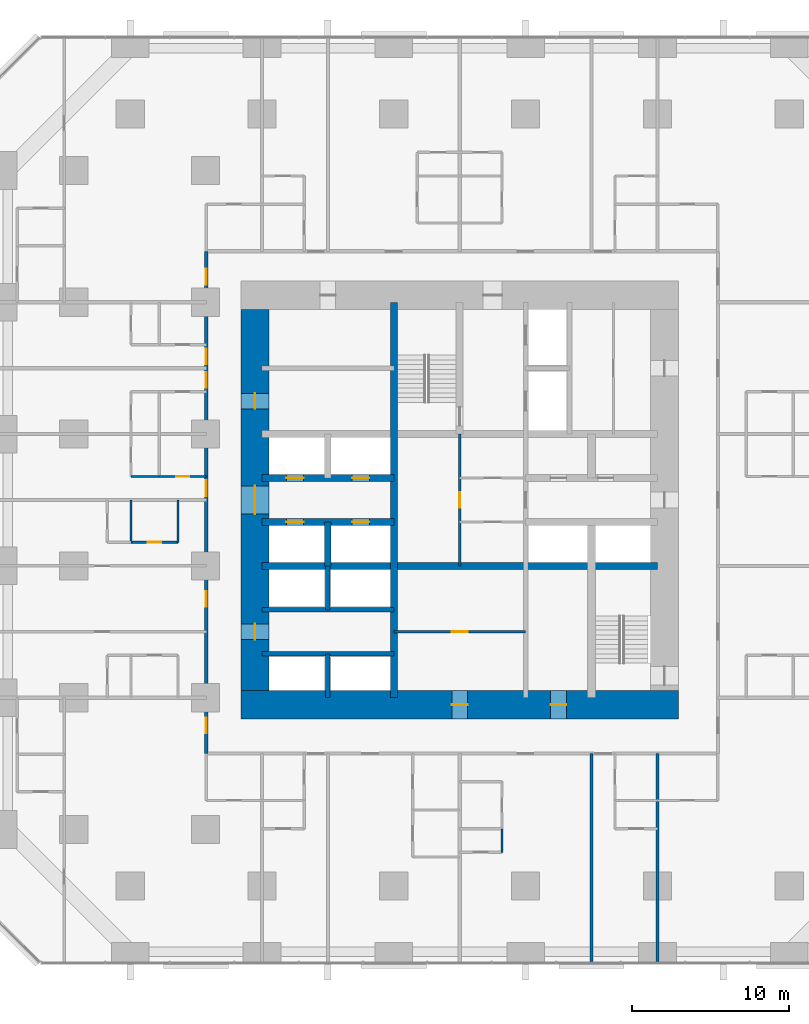
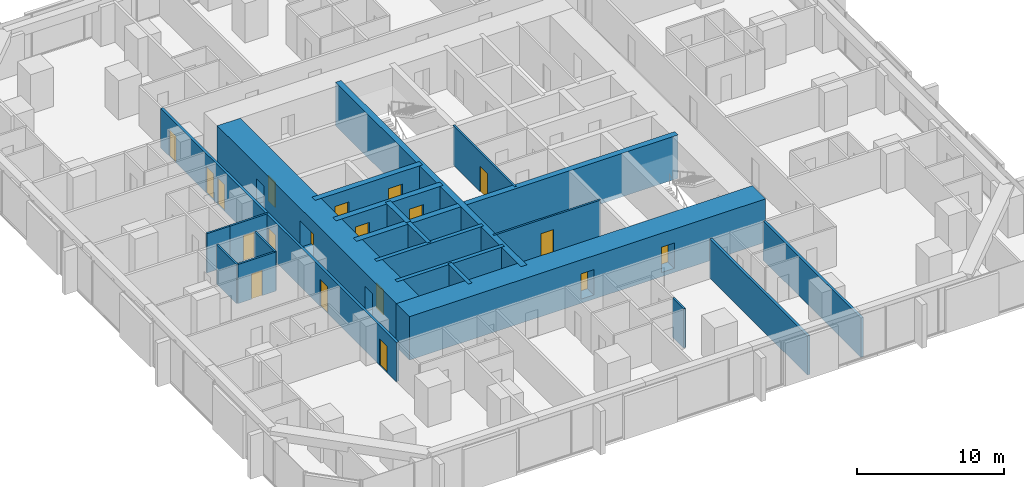
# One storey, part 12 of 17: 22 walls, 19 doors, 19 openings.
"""IFC4 building model written with IfcOpenShell, lengths in metres."""

import ifcopenshell
import ifcopenshell.guid

model = None  # the IFC model being written
_history = None  # IfcOwnerHistory: only IFC2X3 demands one
_inside = {}  # id of a spatial element -> (the spatial element, [elements in it])
_under = {}  # id of a project, library or spatial element -> (it, [spatial elements below it])
_declared = {}  # id of a project -> (the project, [libraries it declares])
_typed = {}  # id of a type object -> (the type object, [elements of that type])
_made_of = {}  # id of a material, layer set ... -> (it, [elements and type objects made of it])


def new_model(schema):
    """Start an empty IFC model of exactly this schema.

    Asked for "IFC4X3", IfcOpenShell would pick the latest addendum, in which some entities
    have other attributes; the version numbers below select the first issue.
    IFC2X3 requires an IfcOwnerHistory on every rooted entity: one is made here for all.
    """
    global model, _history
    if schema == "IFC4X3":
        model = ifcopenshell.file(schema_version=(4, 3, 0, 0))
    else:
        model = ifcopenshell.file(schema=schema)
    _inside.clear()
    _under.clear()
    _declared.clear()
    _typed.clear()
    _made_of.clear()
    _history = None
    if model.schema == "IFC2X3":
        org = make("IfcOrganization", Name="unknown")
        user = make(
            "IfcPersonAndOrganization",
            ThePerson=make("IfcPerson", FamilyName="unknown"),
            TheOrganization=org,
        )
        app = make(
            "IfcApplication",
            ApplicationDeveloper=org,
            Version="unknown",
            ApplicationFullName="unknown",
            ApplicationIdentifier="unknown",
        )
        _history = make(
            "IfcOwnerHistory",
            OwningUser=user,
            OwningApplication=app,
            ChangeAction="ADDED",
            CreationDate=0,
        )
    return model


def make(cls, **values):
    """One entity of the class cls with the attributes given. An attribute that is None is left unset."""
    return model.create_entity(
        cls, **{name: value for name, value in values.items() if value is not None}
    )


def rooted(cls, **values):
    """An entity with a GlobalId (a new one), such as an element, a storey or a relation."""
    return make(cls, GlobalId=ifcopenshell.guid.new(), OwnerHistory=_history, **values)


def si_unit(unit_type, name, prefix=None):
    """IfcSIUnit, for example si_unit("LENGTHUNIT", "METRE", prefix="MILLI")."""
    return make("IfcSIUnit", UnitType=unit_type, Prefix=prefix, Name=name)


def assignment(units):
    """IfcUnitAssignment: the units of a project."""
    return None if units is None else make("IfcUnitAssignment", Units=units)


def point(xyz):
    """IfcCartesianPoint."""
    return None if xyz is None else make("IfcCartesianPoint", Coordinates=xyz)


def direction(xyz):
    """IfcDirection."""
    return None if xyz is None else make("IfcDirection", DirectionRatios=xyz)


def frame(location, z_axis=None, x_axis=None):
    """IfcAxis2Placement3D, a coordinate frame: its origin and axes. An axis left out is left unset."""
    return make(
        "IfcAxis2Placement3D",
        Location=point(location),
        Axis=direction(z_axis),
        RefDirection=direction(x_axis),
    )


def frame_2d(location, x_axis=None):
    """IfcAxis2Placement2D, a coordinate frame in the plane: its origin and x axis."""
    return make(
        "IfcAxis2Placement2D", Location=point(location), RefDirection=direction(x_axis)
    )


def origin():
    """The frame at (0, 0, 0) with its axes left unset."""
    return frame((0.0, 0.0, 0.0))


def place(relative_to, where):
    """IfcLocalPlacement: puts the frame where relative to a parent placement (None: the world)."""
    return make(
        "IfcLocalPlacement", PlacementRelTo=relative_to, RelativePlacement=where
    )


def context(
    kind, dimensions, precision=None, world=None, true_north=None, identifier=None
):
    """IfcGeometricRepresentationContext, for example the 3D "Model" context."""
    return make(
        "IfcGeometricRepresentationContext",
        ContextIdentifier=identifier,
        ContextType=kind,
        CoordinateSpaceDimension=dimensions,
        Precision=precision,
        WorldCoordinateSystem=world,
        TrueNorth=true_north,
    )


def subcontext(parent, identifier, kind, view, scale=None):
    """IfcGeometricRepresentationSubContext, for example "Body" below "Model"."""
    return make(
        "IfcGeometricRepresentationSubContext",
        ContextIdentifier=identifier,
        ContextType=kind,
        ParentContext=parent,
        TargetScale=scale,
        TargetView=view,
    )


def project(units=None, contexts=None):
    """IfcProject with its units and contexts."""
    return rooted(
        "IfcProject",
        Name="project",
        RepresentationContexts=contexts,
        UnitsInContext=assignment(units),
    )


def spatial(cls, under=None, at=None, **own):
    """A site, building, storey or space (cls), placed at a placement, below another one or the project."""
    s = rooted(cls, ObjectPlacement=at, **own)
    if under is not None:
        _under.setdefault(under.id(), (under, []))[1].append(s)
    return s


def profile(cls, at=None, kind="AREA", **sizes):
    """A parametric profile (cls). Its sizes go by their IFC names, for example OverallWidth=200.0."""
    return make(cls, ProfileType=kind, Position=at, **sizes)


def rectangle(**sizes):
    """IfcRectangleProfileDef."""
    return profile("IfcRectangleProfileDef", **sizes)


def extrude(swept, where, along, depth):
    """IfcExtrudedAreaSolid: the profile swept, set in the frame where, extruded along a direction by depth."""
    return make(
        "IfcExtrudedAreaSolid",
        SweptArea=swept,
        Position=where,
        ExtrudedDirection=direction(along),
        Depth=depth,
    )


def shape(context_of_items, identifier, shape_type, items):
    """IfcShapeRepresentation: the items that make up one representation, for example the "Body"."""
    return make(
        "IfcShapeRepresentation",
        ContextOfItems=context_of_items,
        RepresentationIdentifier=identifier,
        RepresentationType=shape_type,
        Items=items,
    )


def material(Name=None, Category=None):
    """IfcMaterial."""
    return make("IfcMaterial", Name=Name, Category=Category)


def layer(
    of_material, thickness, ventilated=None, Name=None, Category=None, Priority=None
):
    """IfcMaterialLayer: one layer of a wall or slab, of a material (None: an air gap)."""
    return make(
        "IfcMaterialLayer",
        Material=of_material,
        LayerThickness=thickness,
        IsVentilated=ventilated,
        Name=Name,
        Category=Category,
        Priority=Priority,
    )


def layer_set(layers, Name=None):
    """IfcMaterialLayerSet."""
    return make("IfcMaterialLayerSet", MaterialLayers=layers, LayerSetName=Name)


def made_of(thing, what):
    """Note that an element or type object is made of a material, layer set ...; save() writes the relation."""
    if what is not None:
        _made_of.setdefault(what.id(), (what, []))[1].append(thing)
    return thing


def type_object(cls, material=None, **own):
    """A type object (cls), such as IfcWallType, which elements share."""
    return made_of(rooted(cls, **own), material)


def element(
    cls,
    number,
    at=None,
    inside=None,
    cuts=None,
    type_object=None,
    material=None,
    context=None,
    identifier="Body",
    shape_type=None,
    held_by="IfcProductDefinitionShape",
    body=None,
    shapes=None,
    **own,
):
    """One element of the class cls, such as IfcWall. Its Tag is "e" and its number.

    at: its placement. inside: the storey or other place that contains it. cuts: it is an
    opening in that element (IfcRelVoidsElement). A single representation is given by context,
    identifier, shape_type and body (its items); several are given by shapes. held_by: the class
    of the entity that holds the representations. save() writes the other relations.
    """
    e = rooted(cls, Tag="e%d" % number, ObjectPlacement=at, **own)
    if body is not None:
        shapes = [shape(context, identifier, shape_type, body)]
    if shapes is not None:
        e.Representation = make(held_by, Representations=shapes)
    if inside is not None:
        _inside.setdefault(inside.id(), (inside, []))[1].append(e)
    if cuts is not None:
        rooted(
            "IfcRelVoidsElement", RelatingBuildingElement=cuts, RelatedOpeningElement=e
        )
    if type_object is not None:
        _typed.setdefault(type_object.id(), (type_object, []))[1].append(e)
    return made_of(e, material)


def fill(opening, filler):
    """IfcRelFillsElement: the door or window that sits in an opening."""
    return rooted(
        "IfcRelFillsElement",
        RelatingOpeningElement=opening,
        RelatedBuildingElement=filler,
    )


def aggregate(whole, parts):
    """IfcRelAggregates: a whole, such as a stair, and the parts it consists of."""
    return rooted("IfcRelAggregates", RelatingObject=whole, RelatedObjects=parts)


def save(model, path):
    """Write the relations noted so far, then the file.

    IfcRelAggregates (storeys below a building ...), IfcRelContainedInSpatialStructure (elements
    in a storey), IfcRelDefinesByType, IfcRelAssociatesMaterial and IfcRelDeclares: one each for
    every whole, place, type object, material and project.
    """
    for whole, parts in _under.values():
        aggregate(whole, parts)
    for where, things in _inside.values():
        rooted(
            "IfcRelContainedInSpatialStructure",
            RelatedElements=things,
            RelatingStructure=where,
        )
    for kind, things in _typed.values():
        rooted("IfcRelDefinesByType", RelatedObjects=things, RelatingType=kind)
    for what, things in _made_of.values():
        rooted("IfcRelAssociatesMaterial", RelatedObjects=things, RelatingMaterial=what)
    for by, libraries in _declared.values():
        rooted("IfcRelDeclares", RelatingContext=by, RelatedDefinitions=libraries)
    model.write(path)


model = new_model("IFC4")

# Units and contexts
model_context = context("Model", 3, precision=1e-05, world=origin(), true_north=direction((0.0, 1.0)))
body_context = subcontext(model_context, "Body", "Model", "MODEL_VIEW")
ifc_project = project(units=[si_unit("LENGTHUNIT", "METRE"), si_unit("AREAUNIT", "SQUARE_METRE"), si_unit("VOLUMEUNIT", "CUBIC_METRE"), si_unit("PLANEANGLEUNIT", "RADIAN"), si_unit("MASSUNIT", "GRAM", prefix="KILO")], contexts=[model_context])

# Site, building, storey
site_placement = place(None, origin())
site = spatial("IfcSite", under=ifc_project, at=site_placement, CompositionType="ELEMENT")
building_placement = place(site_placement, origin())
building = spatial("IfcBuilding", under=site, at=building_placement, Name="Dunama Terrace Hotel", CompositionType="ELEMENT")
storey_placement = place(building_placement, frame((0.0, 0.0, 41.39990234375)))
storey = spatial("IfcBuildingStorey", under=building, at=storey_placement, Name="L09", CompositionType="ELEMENT", Elevation=41.39990234375)

# Wall
ifc_material_1 = material(Name="Gypsum board partition", Category="masonry")
ifc_layer_1 = layer(ifc_material_1, 0.14990234375)
ifc_layer_set_1 = layer_set([ifc_layer_1], Name="Bathroom partition 150")
wall_type_1 = type_object("IfcWallType", Name="Bathroom partition 150", PredefinedType="PARTITIONING", material=ifc_layer_set_1)
wall_1_placement = place(storey_placement, frame((11.449951171875, 26.699951171875, 0.0), z_axis=(0.0, 0.0, 1.0), x_axis=(0.0, 1.0, 0.0)))
element("IfcWall", 1, at=wall_1_placement, inside=storey, type_object=wall_type_1, Name="Bathroom partition 150 L09", PredefinedType="PARTITIONING", context=body_context, shape_type="SweptSolid", body=[
    extrude(rectangle(XDim=2.699951171875, YDim=0.14990234375, at=frame_2d((1.35009765625, 0.0))), origin(), (0.0, 0.0, 1.0), 3.25),
])

# Wall, opening, door
wall_2_placement = place(storey_placement, frame((8.449951171875, 26.699951171875, 0.0), z_axis=(0.0, 0.0, 1.0), x_axis=(1.0, 0.0, 0.0)))
wall_2 = element("IfcWall", 2, at=wall_2_placement, inside=storey, type_object=wall_type_1, Name="Bathroom partition 150 L09", PredefinedType="PARTITIONING", context=body_context, shape_type="SweptSolid", body=[
    extrude(rectangle(XDim=3.0, YDim=0.14990234375, at=frame_2d((1.5, 0.0))), origin(), (0.0, 0.0, 1.0), 3.25),
])
opening_1_placement = place(wall_2_placement, frame((1.074951171875, 0.0, 0.0)))
opening_1 = element("IfcOpeningElement", 3, at=opening_1_placement, cuts=wall_2, Name="Opening L07-09-047", PredefinedType="OPENING", context=body_context, shape_type="SweptSolid", body=[
    extrude(rectangle(XDim=0.85009765625, YDim=2.10009765625, at=frame_2d((0.425048828125, 1.050048828125))), frame((0.0, 0.0849609375, 0.0), z_axis=(0.0, -1.0, 0.0), x_axis=(1.0, 0.0, 0.0)), (0.0, 0.0, 1.0), 0.169921875),
])
ifc_material_2 = material(Name="Timber door with steel frame", Category="steel")
door_type_1 = type_object("IfcDoorType", Name="Bathroom door 850", OperationType="SINGLE_SWING_LEFT", PredefinedType="DOOR", material=ifc_material_2)
door_1_placement = place(opening_1_placement, origin())
door_1 = element("IfcDoor", 4, at=door_1_placement, inside=storey, type_object=door_type_1, Name="Door to en-suite bathroom L07-09-047, type D2", OperationType="SINGLE_SWING_LEFT", OverallHeight=2.10009765625, OverallWidth=0.85009765625, PredefinedType="DOOR", context=body_context, shape_type="SweptSolid", body=[
    extrude(rectangle(XDim=0.85009765625, YDim=2.10009765625, at=frame_2d((0.425048828125, 1.050048828125))), frame((0.0, 0.02490234375, 0.0), z_axis=(0.0, -1.0, 0.0), x_axis=(1.0, 0.0, 0.0)), (0.0, 0.0, 1.0), 0.050048828125),
])
fill(opening_1, door_1)

wall_3_placement = place(storey_placement, frame((10.25, 30.89990234375, 0.0), z_axis=(0.0, 0.0, 1.0), x_axis=(1.0, 0.0, 0.0)))
wall_3 = element("IfcWall", 5, at=wall_3_placement, inside=storey, type_object=wall_type_1, Name="Bathroom partition 150 L09", PredefinedType="PARTITIONING", context=body_context, shape_type="SweptSolid", body=[
    extrude(rectangle(XDim=3.0, YDim=0.14990234375, at=frame_2d((1.5, 0.0))), origin(), (0.0, 0.0, 1.0), 3.25),
])
opening_2_placement = place(wall_3_placement, frame((1.074951171875, 0.0, 0.0)))
opening_2 = element("IfcOpeningElement", 6, at=opening_2_placement, cuts=wall_3, Name="Opening L07-09-050", PredefinedType="OPENING", context=body_context, shape_type="SweptSolid", body=[
    extrude(rectangle(XDim=0.85009765625, YDim=2.10009765625, at=frame_2d((0.425048828125, 1.050048828125))), frame((0.0, 0.0849609375, 0.0), z_axis=(0.0, -1.0, 0.0), x_axis=(1.0, 0.0, 0.0)), (0.0, 0.0, 1.0), 0.169921875),
])
door_2_placement = place(opening_2_placement, origin())
door_2 = element("IfcDoor", 7, at=door_2_placement, inside=storey, type_object=door_type_1, Name="Door to en-suite bathroom L07-09-050, type D2", OperationType="SINGLE_SWING_RIGHT", OverallHeight=2.10009765625, OverallWidth=0.85009765625, PredefinedType="DOOR", context=body_context, shape_type="SweptSolid", body=[
    extrude(rectangle(XDim=0.85009765625, YDim=2.10009765625, at=frame_2d((0.425048828125, 1.050048828125))), frame((0.0, 0.02490234375, 0.0), z_axis=(0.0, -1.0, 0.0), x_axis=(1.0, 0.0, 0.0)), (0.0, 0.0, 1.0), 0.050048828125),
])
fill(opening_2, door_2)

# Walls
ifc_material_3 = material(Name="Concrete C50/60", Category="concrete")
ifc_layer_2 = layer(ifc_material_3, 0.300048828125)
ifc_layer_set_2 = layer_set([ifc_layer_2], Name="Core inner wall 300")
wall_type_2 = type_object("IfcWallType", Name="Core inner wall 300", PredefinedType="SHEAR", material=ifc_layer_set_2)
for number, where, z_axis, x_axis, name in (
    (8, (21.0, 16.800048828125, -0.349853515625), (0.0, 0.0, 1.0), (0.0, 1.0, 0.0), "Core inner wall 300 L09"),
    (9, (21.0, 22.39990234375, -0.349853515625), (0.0, 0.0, 1.0), (0.0, 1.0, 0.0), "Core inner wall 300 L09"),
):
    element("IfcWall", number, at=place(storey_placement, frame(where, z_axis=z_axis, x_axis=x_axis)), inside=storey, type_object=wall_type_2, Name=name, PredefinedType="SHEAR", context=body_context, shape_type="SweptSolid", body=[
        extrude(rectangle(XDim=2.800048828125, YDim=0.300048828125, at=frame_2d((1.39990234375, 0.0))), origin(), (0.0, 0.0, 1.0), 3.599853515625),
    ])
for number, where, z_axis, x_axis, name in (
    (10, (16.800048828125, 19.60009765625, -0.349853515625), (0.0, 0.0, 1.0), (1.0, 0.0, 0.0), "Core inner wall 300 L09"),
    (11, (16.800048828125, 22.39990234375, -0.349853515625), (0.0, 0.0, 1.0), (1.0, 0.0, 0.0), "Core inner wall 300 L09"),
):
    element("IfcWall", number, at=place(storey_placement, frame(where, z_axis=z_axis, x_axis=x_axis)), inside=storey, type_object=wall_type_2, Name=name, PredefinedType="SHEAR", context=body_context, shape_type="SweptSolid", body=[
        extrude(rectangle(XDim=8.39990234375, YDim=0.300048828125, at=frame_2d((4.199951171875, 0.0))), origin(), (0.0, 0.0, 1.0), 3.599853515625),
    ])
ifc_material_4 = material(Name="Concrete C50/60", Category="concrete")
ifc_layer_3 = layer(ifc_material_4, 0.39990234375)
ifc_layer_set_3 = layer_set([ifc_layer_3], Name="Core inner wall 400")
wall_type_3 = type_object("IfcWallType", Name="Core inner wall 400", PredefinedType="SHEAR", material=ifc_layer_set_3)
wall_4_placement = place(storey_placement, frame((21.0, 25.199951171875, -0.349853515625), z_axis=(0.0, 0.0, 1.0), x_axis=(0.0, 1.0, 0.0)))
element("IfcWall", 12, at=wall_4_placement, inside=storey, type_object=wall_type_3, Name="Core inner wall 400 L09", PredefinedType="SHEAR", context=body_context, shape_type="SweptSolid", body=[
    extrude(rectangle(XDim=2.800048828125, YDim=0.39990234375, at=frame_2d((1.39990234375, 0.0))), origin(), (0.0, 0.0, 1.0), 3.599853515625),
])
ifc_material_5 = material(Name="Concrete C50/60", Category="concrete")
ifc_layer_4 = layer(ifc_material_5, 0.449951171875)
ifc_layer_set_4 = layer_set([ifc_layer_4], Name="Core inner wall 450")
wall_type_4 = type_object("IfcWallType", Name="Core inner wall 450", PredefinedType="SHEAR", material=ifc_layer_set_4)
for number, where, z_axis, x_axis, name in (
    (13, (25.199951171875, 16.800048828125, -0.349853515625), (0.0, 0.0, 1.0), (0.0, 1.0, 0.0), "Core inner wall 450 L09"),
    (14, (16.800048828125, 25.199951171875, -0.349853515625), (0.0, 0.0, 1.0), (1.0, 0.0, 0.0), "Core inner wall 450 L09"),
):
    element("IfcWall", number, at=place(storey_placement, frame(where, z_axis=z_axis, x_axis=x_axis)), inside=storey, type_object=wall_type_4, Name=name, PredefinedType="SHEAR", context=body_context, shape_type="SweptSolid", body=[
        extrude(rectangle(XDim=25.199951171875, YDim=0.449951171875, at=frame_2d((12.60009765625, 0.0))), origin(), (0.0, 0.0, 1.0), 3.599853515625),
    ])

# Wall, openings, doors
wall_5_placement = place(storey_placement, frame((16.800048828125, 28.0, -0.349853515625), z_axis=(0.0, 0.0, 1.0), x_axis=(1.0, 0.0, 0.0)))
wall_5 = element("IfcWall", 15, at=wall_5_placement, inside=storey, type_object=wall_type_4, Name="Core inner wall 450 L09", PredefinedType="SHEAR", context=body_context, shape_type="SweptSolid", body=[
    extrude(rectangle(XDim=8.39990234375, YDim=0.449951171875, at=frame_2d((4.199951171875, 0.0))), origin(), (0.0, 0.0, 1.0), 3.599853515625),
])
opening_3_placement = place(wall_5_placement, frame((1.550048828125, 0.0, 0.35009765625)))
opening_3 = element("IfcOpeningElement", 16, at=opening_3_placement, cuts=wall_5, Name="Opening L07-09-003", PredefinedType="OPENING", context=body_context, shape_type="SweptSolid", body=[
    extrude(rectangle(XDim=1.10009765625, YDim=2.199951171875, at=frame_2d((0.550048828125, 1.10009765625))), frame((0.0, 0.23486328125, 0.0), z_axis=(0.0, -1.0, 0.0), x_axis=(1.0, 0.0, 0.0)), (0.0, 0.0, 1.0), 0.469970703125),
])
opening_4_placement = place(wall_5_placement, frame((5.75, 0.0, 0.35009765625)))
opening_4 = element("IfcOpeningElement", 17, at=opening_4_placement, cuts=wall_5, Name="Opening L07-09-004", PredefinedType="OPENING", context=body_context, shape_type="SweptSolid", body=[
    extrude(rectangle(XDim=1.10009765625, YDim=2.199951171875, at=frame_2d((0.550048828125, 1.10009765625))), frame((0.0, 0.23486328125, 0.0), z_axis=(0.0, -1.0, 0.0), x_axis=(1.0, 0.0, 0.0)), (0.0, 0.0, 1.0), 0.469970703125),
])
ifc_material_6 = material(Name="Stainless steel lift door", Category="steel")
door_type_2 = type_object("IfcDoorType", Name="Lift landing door 1100", OperationType="DOUBLE_DOOR_SLIDING", PredefinedType="DOOR", material=ifc_material_6)
door_3_placement = place(opening_3_placement, origin())
door_3 = element("IfcDoor", 18, at=door_3_placement, inside=storey, type_object=door_type_2, Name="Landing door PA1 L07-09-003, type LD1", OperationType="DOUBLE_DOOR_SLIDING", OverallHeight=2.199951171875, OverallWidth=1.10009765625, PredefinedType="DOOR", context=body_context, shape_type="SweptSolid", body=[
    extrude(rectangle(XDim=1.10009765625, YDim=2.199951171875, at=frame_2d((0.550048828125, 1.10009765625))), frame((0.0, 0.02490234375, 0.0), z_axis=(0.0, -1.0, 0.0), x_axis=(1.0, 0.0, 0.0)), (0.0, 0.0, 1.0), 0.050048828125),
])
fill(opening_3, door_3)
door_4_placement = place(opening_4_placement, origin())
door_4 = element("IfcDoor", 19, at=door_4_placement, inside=storey, type_object=door_type_2, Name="Landing door PA2 L07-09-004, type LD1", OperationType="DOUBLE_DOOR_SLIDING", OverallHeight=2.199951171875, OverallWidth=1.10009765625, PredefinedType="DOOR", context=body_context, shape_type="SweptSolid", body=[
    extrude(rectangle(XDim=1.10009765625, YDim=2.199951171875, at=frame_2d((0.550048828125, 1.10009765625))), frame((0.0, 0.02490234375, 0.0), z_axis=(0.0, -1.0, 0.0), x_axis=(1.0, 0.0, 0.0)), (0.0, 0.0, 1.0), 0.050048828125),
])
fill(opening_4, door_4)

wall_6_placement = place(storey_placement, frame((16.800048828125, 30.800048828125, -0.349853515625), z_axis=(0.0, 0.0, 1.0), x_axis=(1.0, 0.0, 0.0)))
wall_6 = element("IfcWall", 20, at=wall_6_placement, inside=storey, type_object=wall_type_4, Name="Core inner wall 450 L09", PredefinedType="SHEAR", context=body_context, shape_type="SweptSolid", body=[
    extrude(rectangle(XDim=8.39990234375, YDim=0.449951171875, at=frame_2d((4.199951171875, 0.0))), origin(), (0.0, 0.0, 1.0), 3.599853515625),
])
opening_5_placement = place(wall_6_placement, frame((1.550048828125, 0.0, 0.35009765625)))
opening_5 = element("IfcOpeningElement", 21, at=opening_5_placement, cuts=wall_6, Name="Opening L07-09-005", PredefinedType="OPENING", context=body_context, shape_type="SweptSolid", body=[
    extrude(rectangle(XDim=1.10009765625, YDim=2.199951171875, at=frame_2d((0.550048828125, 1.10009765625))), frame((0.0, 0.23486328125, 0.0), z_axis=(0.0, -1.0, 0.0), x_axis=(1.0, 0.0, 0.0)), (0.0, 0.0, 1.0), 0.469970703125),
])
opening_6_placement = place(wall_6_placement, frame((5.75, 0.0, 0.35009765625)))
opening_6 = element("IfcOpeningElement", 22, at=opening_6_placement, cuts=wall_6, Name="Opening L07-09-006", PredefinedType="OPENING", context=body_context, shape_type="SweptSolid", body=[
    extrude(rectangle(XDim=1.10009765625, YDim=2.199951171875, at=frame_2d((0.550048828125, 1.10009765625))), frame((0.0, 0.23486328125, 0.0), z_axis=(0.0, -1.0, 0.0), x_axis=(1.0, 0.0, 0.0)), (0.0, 0.0, 1.0), 0.469970703125),
])
door_5_placement = place(opening_5_placement, origin())
door_5 = element("IfcDoor", 23, at=door_5_placement, inside=storey, type_object=door_type_2, Name="Landing door PA3 L07-09-005, type LD1", OperationType="DOUBLE_DOOR_SLIDING", OverallHeight=2.199951171875, OverallWidth=1.10009765625, PredefinedType="DOOR", context=body_context, shape_type="SweptSolid", body=[
    extrude(rectangle(XDim=1.10009765625, YDim=2.199951171875, at=frame_2d((0.550048828125, 1.10009765625))), frame((0.0, 0.02490234375, 0.0), z_axis=(0.0, -1.0, 0.0), x_axis=(1.0, 0.0, 0.0)), (0.0, 0.0, 1.0), 0.050048828125),
])
fill(opening_5, door_5)
door_6_placement = place(opening_6_placement, origin())
door_6 = element("IfcDoor", 24, at=door_6_placement, inside=storey, type_object=door_type_2, Name="Landing door PA4 L07-09-006, type LD1", OperationType="DOUBLE_DOOR_SLIDING", OverallHeight=2.199951171875, OverallWidth=1.10009765625, PredefinedType="DOOR", context=body_context, shape_type="SweptSolid", body=[
    extrude(rectangle(XDim=1.10009765625, YDim=2.199951171875, at=frame_2d((0.550048828125, 1.10009765625))), frame((0.0, 0.02490234375, 0.0), z_axis=(0.0, -1.0, 0.0), x_axis=(1.0, 0.0, 0.0)), (0.0, 0.0, 1.0), 0.050048828125),
])
fill(opening_6, door_6)

ifc_material_7 = material(Name="Concrete C60/75", Category="concrete")
ifc_layer_5 = layer(ifc_material_7, 1.800048828125)
ifc_layer_set_5 = layer_set([ifc_layer_5], Name="Core wall 1800")
wall_type_5 = type_object("IfcWallType", Name="Core wall 1800", PredefinedType="SHEAR", material=ifc_layer_set_5)
wall_7_placement = place(storey_placement, frame((15.449951171875, 16.35009765625, -0.349853515625), z_axis=(0.0, 0.0, 1.0), x_axis=(1.0, 0.0, 0.0)))
wall_7 = element("IfcWall", 25, at=wall_7_placement, inside=storey, type_object=wall_type_5, Name="Core wall south L09", PredefinedType="SHEAR", context=body_context, shape_type="SweptSolid", body=[
    extrude(rectangle(XDim=27.900146484375, YDim=1.800048828125, at=frame_2d((13.9501953125, 0.0))), origin(), (0.0, 0.0, 1.0), 3.599853515625),
])
opening_7_placement = place(wall_7_placement, frame((13.449951171875, 0.0, 0.35009765625)))
opening_7 = element("IfcOpeningElement", 26, at=opening_7_placement, cuts=wall_7, Name="Opening L07-09-092", PredefinedType="OPENING", context=body_context, shape_type="SweptSolid", body=[
    extrude(rectangle(XDim=1.0, YDim=2.10009765625, at=frame_2d((0.5, 1.050048828125))), frame((0.0, 0.909912109375, 0.0), z_axis=(0.0, -1.0, 0.0), x_axis=(1.0, 0.0, 0.0)), (0.0, 0.0, 1.0), 1.820068359375),
])
opening_8_placement = place(wall_7_placement, frame((19.75, 0.0, 0.35009765625)))
opening_8 = element("IfcOpeningElement", 27, at=opening_8_placement, cuts=wall_7, Name="Opening L07-09-094", PredefinedType="OPENING", context=body_context, shape_type="SweptSolid", body=[
    extrude(rectangle(XDim=1.0, YDim=2.10009765625, at=frame_2d((0.5, 1.050048828125))), frame((0.0, 0.909912109375, 0.0), z_axis=(0.0, -1.0, 0.0), x_axis=(1.0, 0.0, 0.0)), (0.0, 0.0, 1.0), 1.820068359375),
])
ifc_material_8 = material(Name="Timber door with steel frame", Category="steel")
door_type_3 = type_object("IfcDoorType", Name="Service door 1000", OperationType="SINGLE_SWING_LEFT", PredefinedType="DOOR", material=ifc_material_8)
door_7_placement = place(opening_7_placement, origin())
door_7 = element("IfcDoor", 28, at=door_7_placement, inside=storey, type_object=door_type_3, Name="Door to corridor air handling room L07-09-092, type D7", OperationType="SINGLE_SWING_LEFT", OverallHeight=2.10009765625, OverallWidth=1.0, PredefinedType="DOOR", context=body_context, shape_type="SweptSolid", body=[
    extrude(rectangle(XDim=1.0, YDim=2.10009765625, at=frame_2d((0.5, 1.050048828125))), frame((0.0, 0.02490234375, 0.0), z_axis=(0.0, -1.0, 0.0), x_axis=(1.0, 0.0, 0.0)), (0.0, 0.0, 1.0), 0.050048828125),
])
fill(opening_7, door_7)
door_8_placement = place(opening_8_placement, origin())
door_8 = element("IfcDoor", 29, at=door_8_placement, inside=storey, type_object=door_type_3, Name="Door to water riser room L07-09-094, type D7", OperationType="SINGLE_SWING_RIGHT", OverallHeight=2.10009765625, OverallWidth=1.0, PredefinedType="DOOR", context=body_context, shape_type="SweptSolid", body=[
    extrude(rectangle(XDim=1.0, YDim=2.10009765625, at=frame_2d((0.5, 1.050048828125))), frame((0.0, 0.02490234375, 0.0), z_axis=(0.0, -1.0, 0.0), x_axis=(1.0, 0.0, 0.0)), (0.0, 0.0, 1.0), 0.050048828125),
])
fill(opening_8, door_8)

wall_8_placement = place(storey_placement, frame((16.35009765625, 41.550048828125, -0.349853515625), z_axis=(0.0, 0.0, 1.0), x_axis=(0.0, -1.0, 0.0)))
wall_8 = element("IfcWall", 30, at=wall_8_placement, inside=storey, type_object=wall_type_5, Name="Core wall west L09", PredefinedType="SHEAR", context=body_context, shape_type="SweptSolid", body=[
    extrude(rectangle(XDim=24.300048828125, YDim=1.800048828125, at=frame_2d((12.14990234375, 0.0))), origin(), (0.0, 0.0, 1.0), 3.599853515625),
])
opening_9_placement = place(wall_8_placement, frame((11.25, 0.0, 0.35009765625)))
opening_9 = element("IfcOpeningElement", 31, at=opening_9_placement, cuts=wall_8, Name="Opening L07-09-078", PredefinedType="OPENING", context=body_context, shape_type="SweptSolid", body=[
    extrude(rectangle(XDim=1.800048828125, YDim=2.199951171875, at=frame_2d((0.89990234375, 1.10009765625))), frame((0.0, 0.909912109375, 0.0), z_axis=(0.0, -1.0, 0.0), x_axis=(1.0, 0.0, 0.0)), (0.0, 0.0, 1.0), 1.820068359375),
])
opening_10_placement = place(wall_8_placement, frame((20.050048828125, 0.0, 0.35009765625)))
opening_10 = element("IfcOpeningElement", 32, at=opening_10_placement, cuts=wall_8, Name="Opening L07-09-079", PredefinedType="OPENING", context=body_context, shape_type="SweptSolid", body=[
    extrude(rectangle(XDim=1.0, YDim=2.10009765625, at=frame_2d((0.5, 1.050048828125))), frame((0.0, 0.909912109375, 0.0), z_axis=(0.0, -1.0, 0.0), x_axis=(1.0, 0.0, 0.0)), (0.0, 0.0, 1.0), 1.820068359375),
])
opening_11_placement = place(wall_8_placement, frame((5.35009765625, 0.0, 0.35009765625)))
opening_11 = element("IfcOpeningElement", 33, at=opening_11_placement, cuts=wall_8, Name="Opening L07-09-080", PredefinedType="OPENING", context=body_context, shape_type="SweptSolid", body=[
    extrude(rectangle(XDim=1.0, YDim=2.10009765625, at=frame_2d((0.5, 1.050048828125))), frame((0.0, 0.909912109375, 0.0), z_axis=(0.0, -1.0, 0.0), x_axis=(1.0, 0.0, 0.0)), (0.0, 0.0, 1.0), 1.820068359375),
])
ifc_material_9 = material(Name="Timber door with steel frame", Category="steel")
door_type_4 = type_object("IfcDoorType", Name="Lift lobby double door 1800", OperationType="DOUBLE_DOOR_DOUBLE_SWING", PredefinedType="DOOR", material=ifc_material_9)
door_9_placement = place(opening_9_placement, origin())
door_9 = element("IfcDoor", 34, at=door_9_placement, inside=storey, type_object=door_type_4, Name="Door to lift lobby L07-09-078, type D3", OperationType="DOUBLE_DOOR_DOUBLE_SWING", OverallHeight=2.199951171875, OverallWidth=1.800048828125, PredefinedType="DOOR", context=body_context, shape_type="SweptSolid", body=[
    extrude(rectangle(XDim=1.800048828125, YDim=2.199951171875, at=frame_2d((0.89990234375, 1.10009765625))), frame((0.0, 0.02490234375, 0.0), z_axis=(0.0, -1.0, 0.0), x_axis=(1.0, 0.0, 0.0)), (0.0, 0.0, 1.0), 0.050048828125),
])
fill(opening_9, door_9)
door_10_placement = place(opening_10_placement, origin())
door_10 = element("IfcDoor", 35, at=door_10_placement, inside=storey, type_object=door_type_3, Name="Door to service lobby L07-09-079, type D7", OperationType="SINGLE_SWING_RIGHT", OverallHeight=2.10009765625, OverallWidth=1.0, PredefinedType="DOOR", context=body_context, shape_type="SweptSolid", body=[
    extrude(rectangle(XDim=1.0, YDim=2.10009765625, at=frame_2d((0.5, 1.050048828125))), frame((0.0, 0.02490234375, 0.0), z_axis=(0.0, -1.0, 0.0), x_axis=(1.0, 0.0, 0.0)), (0.0, 0.0, 1.0), 0.050048828125),
])
fill(opening_10, door_10)
door_11_placement = place(opening_11_placement, origin())
door_11 = element("IfcDoor", 36, at=door_11_placement, inside=storey, type_object=door_type_3, Name="Door to electrical room L07-09-080, type D7", OperationType="SINGLE_SWING_RIGHT", OverallHeight=2.10009765625, OverallWidth=1.0, PredefinedType="DOOR", context=body_context, shape_type="SweptSolid", body=[
    extrude(rectangle(XDim=1.0, YDim=2.10009765625, at=frame_2d((0.5, 1.050048828125))), frame((0.0, 0.02490234375, 0.0), z_axis=(0.0, -1.0, 0.0), x_axis=(1.0, 0.0, 0.0)), (0.0, 0.0, 1.0), 0.050048828125),
])
fill(opening_11, door_11)

ifc_material_10 = material(Name="Concrete blockwork", Category="masonry")
ifc_layer_6 = layer(ifc_material_10, 0.199951171875)
ifc_layer_set_6 = layer_set([ifc_layer_6], Name="Corridor partition 200")
wall_type_6 = type_object("IfcWallType", Name="Corridor partition 200", PredefinedType="PARTITIONING", material=ifc_layer_set_6)
wall_9_placement = place(storey_placement, frame((13.25, 13.25, 0.0), z_axis=(0.0, 0.0, 1.0), x_axis=(0.0, 1.0, 0.0)))
wall_9 = element("IfcWall", 37, at=wall_9_placement, inside=storey, type_object=wall_type_6, Name="Corridor partition 200 L09", PredefinedType="PARTITIONING", context=body_context, shape_type="SweptSolid", body=[
    extrude(rectangle(XDim=32.0, YDim=0.199951171875, at=frame_2d((16.0, 0.0))), origin(), (0.0, 0.0, 1.0), 3.25),
])
opening_12_placement = place(wall_9_placement, frame((9.35009765625, 0.0, 0.0)))
opening_12 = element("IfcOpeningElement", 38, at=opening_12_placement, cuts=wall_9, Name="Opening L07-09-042", PredefinedType="OPENING", context=body_context, shape_type="SweptSolid", body=[
    extrude(rectangle(XDim=1.0, YDim=2.199951171875, at=frame_2d((0.5, 1.10009765625))), frame((0.0, 0.10986328125, 0.0), z_axis=(0.0, -1.0, 0.0), x_axis=(1.0, 0.0, 0.0)), (0.0, 0.0, 1.0), 0.219970703125),
])
opening_13_placement = place(wall_9_placement, frame((16.39990234375, 0.0, 0.0)))
opening_13 = element("IfcOpeningElement", 39, at=opening_13_placement, cuts=wall_9, Name="Opening L07-09-049", PredefinedType="OPENING", context=body_context, shape_type="SweptSolid", body=[
    extrude(rectangle(XDim=1.0, YDim=2.199951171875, at=frame_2d((0.5, 1.10009765625))), frame((0.0, 0.10986328125, 0.0), z_axis=(0.0, -1.0, 0.0), x_axis=(1.0, 0.0, 0.0)), (0.0, 0.0, 1.0), 0.219970703125),
])
opening_14_placement = place(wall_9_placement, frame((23.300048828125, 0.0, 0.0)))
opening_14 = element("IfcOpeningElement", 40, at=opening_14_placement, cuts=wall_9, Name="Opening L07-09-052", PredefinedType="OPENING", context=body_context, shape_type="SweptSolid", body=[
    extrude(rectangle(XDim=1.0, YDim=2.199951171875, at=frame_2d((0.5, 1.10009765625))), frame((0.0, 0.10986328125, 0.0), z_axis=(0.0, -1.0, 0.0), x_axis=(1.0, 0.0, 0.0)), (0.0, 0.0, 1.0), 0.219970703125),
])
opening_15_placement = place(wall_9_placement, frame((24.800048828125, 0.0, 0.0)))
opening_15 = element("IfcOpeningElement", 41, at=opening_15_placement, cuts=wall_9, Name="Opening L07-09-055", PredefinedType="OPENING", context=body_context, shape_type="SweptSolid", body=[
    extrude(rectangle(XDim=1.0, YDim=2.199951171875, at=frame_2d((0.5, 1.10009765625))), frame((0.0, 0.10986328125, 0.0), z_axis=(0.0, -1.0, 0.0), x_axis=(1.0, 0.0, 0.0)), (0.0, 0.0, 1.0), 0.219970703125),
])
opening_16_placement = place(wall_9_placement, frame((1.27490234375, 0.0, 0.0)))
opening_16 = element("IfcOpeningElement", 42, at=opening_16_placement, cuts=wall_9, Name="Opening L07-09-058", PredefinedType="OPENING", context=body_context, shape_type="SweptSolid", body=[
    extrude(rectangle(XDim=1.0, YDim=2.199951171875, at=frame_2d((0.5, 1.10009765625))), frame((0.0, 0.10986328125, 0.0), z_axis=(0.0, -1.0, 0.0), x_axis=(1.0, 0.0, 0.0)), (0.0, 0.0, 1.0), 0.219970703125),
])
opening_17_placement = place(wall_9_placement, frame((29.875, 0.0, 0.0)))
opening_17 = element("IfcOpeningElement", 43, at=opening_17_placement, cuts=wall_9, Name="Opening L07-09-073", PredefinedType="OPENING", context=body_context, shape_type="SweptSolid", body=[
    extrude(rectangle(XDim=1.0, YDim=2.199951171875, at=frame_2d((0.5, 1.10009765625))), frame((0.0, 0.10986328125, 0.0), z_axis=(0.0, -1.0, 0.0), x_axis=(1.0, 0.0, 0.0)), (0.0, 0.0, 1.0), 0.219970703125),
])
ifc_material_11 = material(Name="Timber door with steel frame", Category="steel")
door_type_5 = type_object("IfcDoorType", Name="Guest room door 1000", OperationType="SINGLE_SWING_LEFT", PredefinedType="DOOR", material=ifc_material_11)
door_12_placement = place(opening_12_placement, origin())
door_12 = element("IfcDoor", 44, at=door_12_placement, inside=storey, type_object=door_type_5, Name="Door to family suite living room L07-09-042, type D1", OperationType="SINGLE_SWING_RIGHT", OverallHeight=2.199951171875, OverallWidth=1.0, PredefinedType="DOOR", context=body_context, shape_type="SweptSolid", body=[
    extrude(rectangle(XDim=1.0, YDim=2.199951171875, at=frame_2d((0.5, 1.10009765625))), frame((0.0, 0.02490234375, 0.0), z_axis=(0.0, -1.0, 0.0), x_axis=(1.0, 0.0, 0.0)), (0.0, 0.0, 1.0), 0.050048828125),
])
fill(opening_12, door_12)
door_13_placement = place(opening_13_placement, origin())
door_13 = element("IfcDoor", 45, at=door_13_placement, inside=storey, type_object=door_type_5, Name="Door to deluxe room L07-09-049, type D1", OperationType="SINGLE_SWING_LEFT", OverallHeight=2.199951171875, OverallWidth=1.0, PredefinedType="DOOR", context=body_context, shape_type="SweptSolid", body=[
    extrude(rectangle(XDim=1.0, YDim=2.199951171875, at=frame_2d((0.5, 1.10009765625))), frame((0.0, 0.02490234375, 0.0), z_axis=(0.0, -1.0, 0.0), x_axis=(1.0, 0.0, 0.0)), (0.0, 0.0, 1.0), 0.050048828125),
])
fill(opening_13, door_13)
door_14_placement = place(opening_14_placement, origin())
door_14 = element("IfcDoor", 46, at=door_14_placement, inside=storey, type_object=door_type_5, Name="Door to deluxe room L07-09-052, type D1", OperationType="SINGLE_SWING_RIGHT", OverallHeight=2.199951171875, OverallWidth=1.0, PredefinedType="DOOR", context=body_context, shape_type="SweptSolid", body=[
    extrude(rectangle(XDim=1.0, YDim=2.199951171875, at=frame_2d((0.5, 1.10009765625))), frame((0.0, 0.02490234375, 0.0), z_axis=(0.0, -1.0, 0.0), x_axis=(1.0, 0.0, 0.0)), (0.0, 0.0, 1.0), 0.050048828125),
])
fill(opening_14, door_14)
door_15_placement = place(opening_15_placement, origin())
door_15 = element("IfcDoor", 47, at=door_15_placement, inside=storey, type_object=door_type_5, Name="Door to deluxe room L07-09-055, type D1", OperationType="SINGLE_SWING_LEFT", OverallHeight=2.199951171875, OverallWidth=1.0, PredefinedType="DOOR", context=body_context, shape_type="SweptSolid", body=[
    extrude(rectangle(XDim=1.0, YDim=2.199951171875, at=frame_2d((0.5, 1.10009765625))), frame((0.0, 0.02490234375, 0.0), z_axis=(0.0, -1.0, 0.0), x_axis=(1.0, 0.0, 0.0)), (0.0, 0.0, 1.0), 0.050048828125),
])
fill(opening_15, door_15)
door_16_placement = place(opening_16_placement, origin())
door_16 = element("IfcDoor", 48, at=door_16_placement, inside=storey, type_object=door_type_5, Name="Door to corner suite living room L07-09-058, type D1", OperationType="SINGLE_SWING_RIGHT", OverallHeight=2.199951171875, OverallWidth=1.0, PredefinedType="DOOR", context=body_context, shape_type="SweptSolid", body=[
    extrude(rectangle(XDim=1.0, YDim=2.199951171875, at=frame_2d((0.5, 1.10009765625))), frame((0.0, 0.02490234375, 0.0), z_axis=(0.0, -1.0, 0.0), x_axis=(1.0, 0.0, 0.0)), (0.0, 0.0, 1.0), 0.050048828125),
])
fill(opening_16, door_16)
door_17_placement = place(opening_17_placement, origin())
door_17 = element("IfcDoor", 49, at=door_17_placement, inside=storey, type_object=door_type_5, Name="Door to corner suite living room L07-09-073, type D1", OperationType="SINGLE_SWING_LEFT", OverallHeight=2.199951171875, OverallWidth=1.0, PredefinedType="DOOR", context=body_context, shape_type="SweptSolid", body=[
    extrude(rectangle(XDim=1.0, YDim=2.199951171875, at=frame_2d((0.5, 1.10009765625))), frame((0.0, 0.02490234375, 0.0), z_axis=(0.0, -1.0, 0.0), x_axis=(1.0, 0.0, 0.0)), (0.0, 0.0, 1.0), 0.050048828125),
])
fill(opening_17, door_17)

# Walls
ifc_material_12 = material(Name="Concrete blockwork", Category="masonry")
ifc_layer_7 = layer(ifc_material_12, 0.199951171875)
ifc_layer_set_7 = layer_set([ifc_layer_7], Name="Party wall 200")
wall_type_7 = type_object("IfcWallType", Name="Party wall 200", PredefinedType="PARTITIONING", material=ifc_layer_set_7)
for number, where, z_axis, x_axis, name in (
    (50, (37.800048828125, -0.008056640625, 0.0), (0.0, 0.0, 1.0), (0.0, 1.0, 0.0), "Party wall 200 L09"),
    (51, (42.0, -0.008056640625, 0.0), (0.0, 0.0, 1.0), (0.0, 1.0, 0.0), "Party wall 200 L09"),
):
    element("IfcWall", number, at=place(storey_placement, frame(where, z_axis=z_axis, x_axis=x_axis)), inside=storey, type_object=wall_type_7, Name=name, PredefinedType="PARTITIONING", context=body_context, shape_type="SweptSolid", body=[
        extrude(rectangle(XDim=13.258056640625, YDim=0.199951171875, at=frame_2d((6.62890625, 0.0))), origin(), (0.0, 0.0, 1.0), 3.25),
    ])
ifc_material_13 = material(Name="Gypsum board partition", Category="masonry")
ifc_layer_8 = layer(ifc_material_13, 0.14990234375)
ifc_layer_set_8 = layer_set([ifc_layer_8], Name="Room partition 150")
wall_type_8 = type_object("IfcWallType", Name="Room partition 150", PredefinedType="PARTITIONING", material=ifc_layer_set_8)
wall_10_placement = place(storey_placement, frame((8.449951171875, 26.699951171875, 0.0), z_axis=(0.0, 0.0, 1.0), x_axis=(0.0, 1.0, 0.0)))
element("IfcWall", 52, at=wall_10_placement, inside=storey, type_object=wall_type_8, Name="Room partition 150 L09", PredefinedType="PARTITIONING", context=body_context, shape_type="SweptSolid", body=[
    extrude(rectangle(XDim=2.699951171875, YDim=0.14990234375, at=frame_2d((1.35009765625, 0.0))), origin(), (0.0, 0.0, 1.0), 3.25),
])

# Wall, opening, door
wall_11_placement = place(storey_placement, frame((29.39990234375, 25.199951171875, 0.0), z_axis=(0.0, 0.0, 1.0), x_axis=(0.0, 1.0, 0.0)))
wall_11 = element("IfcWall", 53, at=wall_11_placement, inside=storey, type_object=wall_type_8, Name="Room partition 150 L09", PredefinedType="PARTITIONING", context=body_context, shape_type="SweptSolid", body=[
    extrude(rectangle(XDim=8.400146484375, YDim=0.14990234375, at=frame_2d((4.2001953125, 0.0))), origin(), (0.0, 0.0, 1.0), 3.25),
])
opening_18_placement = place(wall_11_placement, frame((3.699951171875, 0.0, 0.0)))
opening_18 = element("IfcOpeningElement", 54, at=opening_18_placement, cuts=wall_11, Name="Opening L07-09-085", PredefinedType="OPENING", context=body_context, shape_type="SweptSolid", body=[
    extrude(rectangle(XDim=1.0, YDim=2.10009765625, at=frame_2d((0.5, 1.050048828125))), frame((0.0, 0.0849609375, 0.0), z_axis=(0.0, -1.0, 0.0), x_axis=(1.0, 0.0, 0.0)), (0.0, 0.0, 1.0), 0.169921875),
])
door_18_placement = place(opening_18_placement, origin())
door_18 = element("IfcDoor", 55, at=door_18_placement, inside=storey, type_object=door_type_3, Name="Door to staff break room L07-09-085, type D7", OperationType="SINGLE_SWING_LEFT", OverallHeight=2.10009765625, OverallWidth=1.0, PredefinedType="DOOR", context=body_context, shape_type="SweptSolid", body=[
    extrude(rectangle(XDim=1.0, YDim=2.10009765625, at=frame_2d((0.5, 1.050048828125))), frame((0.0, 0.02490234375, 0.0), z_axis=(0.0, -1.0, 0.0), x_axis=(1.0, 0.0, 0.0)), (0.0, 0.0, 1.0), 0.050048828125),
])
fill(opening_18, door_18)

# Wall
wall_12_placement = place(storey_placement, frame((32.10009765625, 6.949951171875, 0.0), z_axis=(0.0, 0.0, 1.0), x_axis=(0.0, 1.0, 0.0)))
element("IfcWall", 56, at=wall_12_placement, inside=storey, type_object=wall_type_8, Name="Room partition 150 L09", PredefinedType="PARTITIONING", context=body_context, shape_type="SweptSolid", body=[
    extrude(rectangle(XDim=1.5, YDim=0.14990234375, at=frame_2d((0.75, 0.0))), origin(), (0.0, 0.0, 1.0), 3.25),
])

# Wall, opening, door
wall_13_placement = place(storey_placement, frame((25.199951171875, 21.0, 0.0), z_axis=(0.0, 0.0, 1.0), x_axis=(1.0, 0.0, 0.0)))
wall_13 = element("IfcWall", 57, at=wall_13_placement, inside=storey, type_object=wall_type_8, Name="Room partition 150 L09", PredefinedType="PARTITIONING", context=body_context, shape_type="SweptSolid", body=[
    extrude(rectangle(XDim=8.400146484375, YDim=0.14990234375, at=frame_2d((4.2001953125, 0.0))), origin(), (0.0, 0.0, 1.0), 3.25),
])
opening_19_placement = place(wall_13_placement, frame((3.699951171875, 0.0, 0.0)))
opening_19 = element("IfcOpeningElement", 58, at=opening_19_placement, cuts=wall_13, Name="Opening L07-09-093", PredefinedType="OPENING", context=body_context, shape_type="SweptSolid", body=[
    extrude(rectangle(XDim=1.0, YDim=2.10009765625, at=frame_2d((0.5, 1.050048828125))), frame((0.0, 0.0849609375, 0.0), z_axis=(0.0, -1.0, 0.0), x_axis=(1.0, 0.0, 0.0)), (0.0, 0.0, 1.0), 0.169921875),
])
door_19_placement = place(opening_19_placement, origin())
door_19 = element("IfcDoor", 59, at=door_19_placement, inside=storey, type_object=door_type_3, Name="Door to stair pressurisation fan room L07-09-093, type D7", OperationType="SINGLE_SWING_LEFT", OverallHeight=2.10009765625, OverallWidth=1.0, PredefinedType="DOOR", context=body_context, shape_type="SweptSolid", body=[
    extrude(rectangle(XDim=1.0, YDim=2.10009765625, at=frame_2d((0.5, 1.050048828125))), frame((0.0, 0.02490234375, 0.0), z_axis=(0.0, -1.0, 0.0), x_axis=(1.0, 0.0, 0.0)), (0.0, 0.0, 1.0), 0.050048828125),
])
fill(opening_19, door_19)

# Wall
wall_14_placement = place(storey_placement, frame((8.449951171875, 30.89990234375, 0.0), z_axis=(0.0, 0.0, 1.0), x_axis=(1.0, 0.0, 0.0)))
element("IfcWall", 60, at=wall_14_placement, inside=storey, type_object=wall_type_8, Name="Room partition 150 L09", PredefinedType="PARTITIONING", context=body_context, shape_type="SweptSolid", body=[
    extrude(rectangle(XDim=1.800048828125, YDim=0.14990234375, at=frame_2d((0.89990234375, 0.0))), origin(), (0.0, 0.0, 1.0), 3.25),
])

save(model, "model.ifc")
